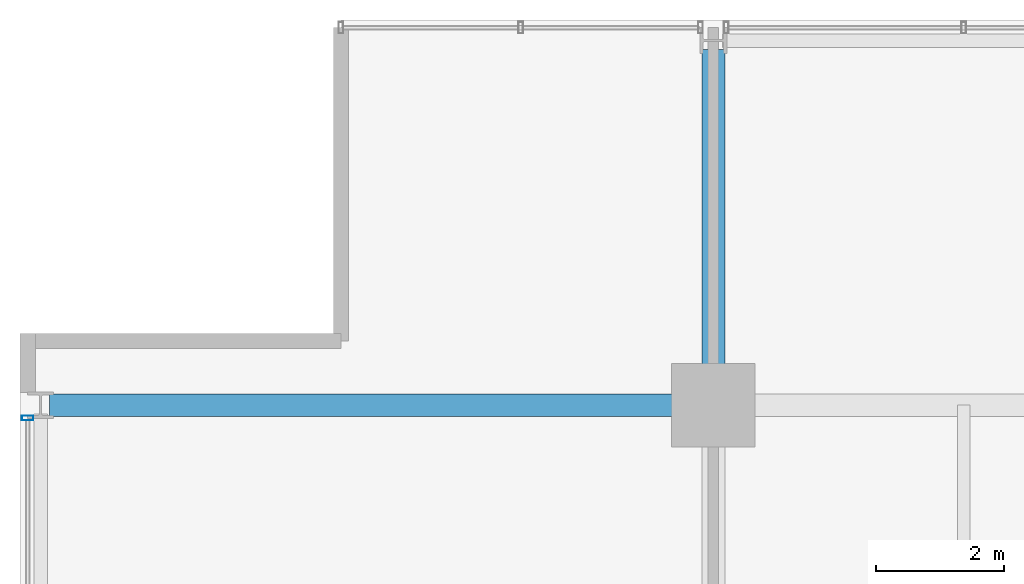
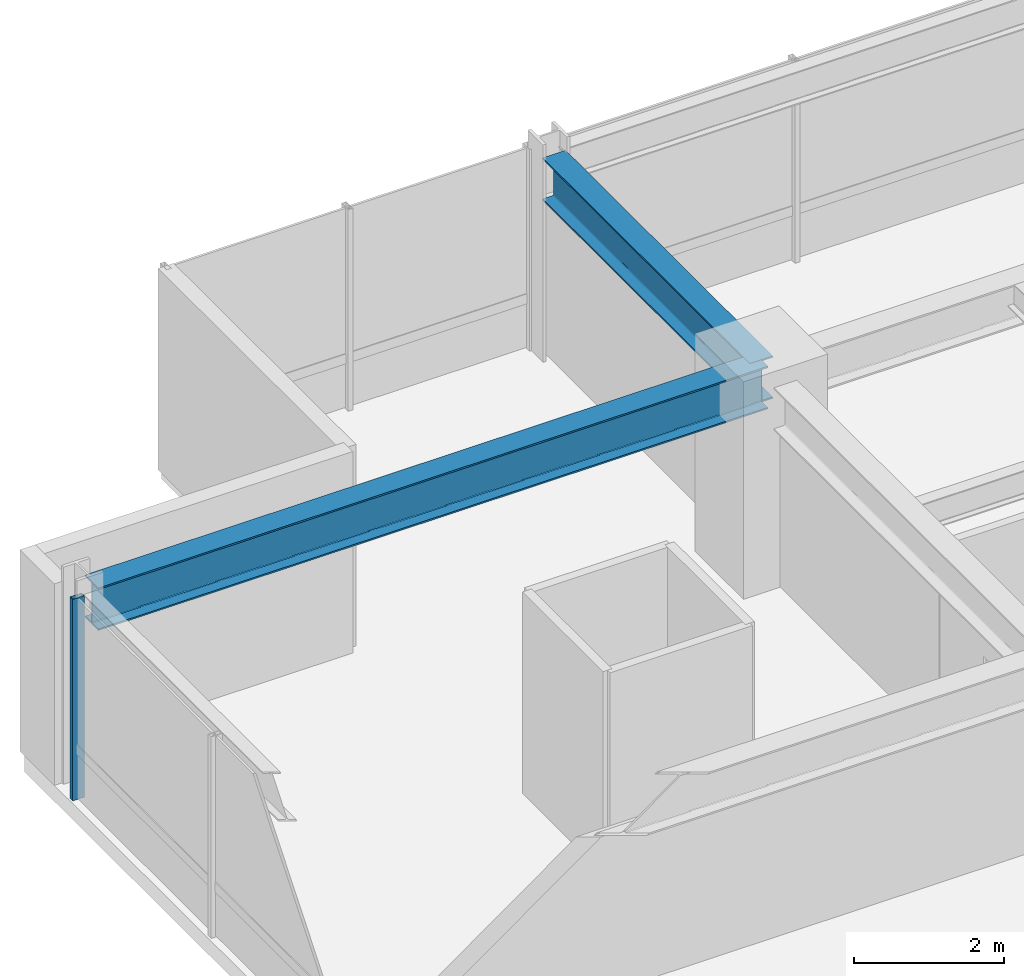
# One storey, part 19 of 33: 2 beams, 1 member, 1 element without a shape of its own.
"""IFC4 building model written with IfcOpenShell, lengths in metres."""

from ifc_helpers import new_model, si_unit, direction, frame, origin, origin_2d, place, context, subcontext, project, spatial, hollow_rectangle, i_section, extrude, material, layer, layer_set, material_profile, profile_set, type_object, element, aggregate, save


model = new_model("IFC4")

# Units and contexts
model_context = context("Model", 3, precision=1e-05, world=origin(), true_north=direction((0.0, 1.0)))
body_context = subcontext(model_context, "Body", "Model", "MODEL_VIEW")
ifc_project = project(units=[si_unit("LENGTHUNIT", "METRE"), si_unit("AREAUNIT", "SQUARE_METRE"), si_unit("VOLUMEUNIT", "CUBIC_METRE"), si_unit("PLANEANGLEUNIT", "RADIAN"), si_unit("MASSUNIT", "GRAM", prefix="KILO")], contexts=[model_context])

# Site, building, storey
site_placement = place(None, origin())
site = spatial("IfcSite", under=ifc_project, at=site_placement, CompositionType="ELEMENT")
building_placement = place(site_placement, origin())
building = spatial("IfcBuilding", under=site, at=building_placement, Name="Drelvath Grand Hotel", CompositionType="ELEMENT")
storey_placement = place(building_placement, frame((0.0, 0.0, 168.14990234375)))
storey = spatial("IfcBuildingStorey", under=building, at=storey_placement, Name="L43", CompositionType="ELEMENT", Elevation=168.14990234375)

# Curtain wall, member
ifc_material_1 = material(Name="Brushed Pale-Silver Anodised Aluminium Frame", Category="aluminium")
ifc_layer = layer(ifc_material_1, 0.199951171875)
ifc_layer_set = layer_set([ifc_layer], Name="Brushed Pale-Silver Anodised Aluminium Frame")
curtain_wall_type = type_object("IfcCurtainWallType", Name="Stick Curtain Wall CW-04 Brushed Silver Upper-Mid", PredefinedType="NOTDEFINED", material=ifc_layer_set)
curtain_wall_placement = place(storey_placement, origin())
curtain_wall = element("IfcCurtainWall", 1, at=curtain_wall_placement, inside=storey, type_object=curtain_wall_type, Name="L43 CW-04 Curtain Wall CW04-L43-WN2", PredefinedType="NOTDEFINED")
ifc_material_profile_1 = material_profile(ifc_material_1, hollow_rectangle(XDim=0.074951171875, YDim=0.179931640625, WallThickness=0.0048828125, at=origin_2d()), Name="HSS180X75X5")
ifc_profile_set_1 = profile_set([ifc_material_profile_1], Name="Brushed Pale-Silver Anodised Aluminium Frame")
member_type = type_object("IfcMemberType", Name="Curtain Wall Vertical Mullion CW-04 HSS180X75X5", PredefinedType="MULLION", material=ifc_profile_set_1)
member_placement = place(storey_placement, frame((-26.8798828125, 43.0, 0.0), z_axis=(0.0, 0.0, 1.0), x_axis=(0.0, 1.0, 0.0)))
member = element("IfcMember", 2, at=member_placement, type_object=member_type, Name="CW04-L43-WN2 Mullion 3", PredefinedType="MULLION", context=body_context, shape_type="SweptSolid", body=[
    extrude(hollow_rectangle(XDim=0.074951171875, YDim=0.179931640625, WallThickness=0.0048828125, at=origin_2d()), origin(), (0.0, 0.0, 1.0), 3.2900390625),
])
aggregate(curtain_wall, [member])

# Beams
ifc_material_2 = material(Name="Steel ASTM A992 Gr 50", Category="steel")
ifc_material_profile_2 = material_profile(ifc_material_2, i_section(OverallWidth=0.354736328125, OverallDepth=0.695556640625, WebThickness=0.015380859375, FlangeThickness=0.025146484375, FilletRadius=0.02392578125, at=origin_2d()), Name="W27X146")
ifc_profile_set_2 = profile_set([ifc_material_profile_2], Name="Steel ASTM A992 Gr 50")
beam_type = type_object("IfcBeamType", Name="Primary Floor Girder W27X146", PredefinedType="BEAM", material=ifc_profile_set_2)
beam_1_placement = place(storey_placement, frame((-26.5400390625, 43.199951171875, 2.9423828125), z_axis=(1.0, 0.0, 0.0), x_axis=(0.0, 1.0, 0.0)))
element("IfcBeam", 3, at=beam_1_placement, inside=storey, type_object=beam_type, Name="L43 West Grid Girder G", PredefinedType="BEAM", context=body_context, shape_type="SweptSolid", body=[
    extrude(i_section(OverallWidth=0.354736328125, OverallDepth=0.695556640625, WebThickness=0.015380859375, FlangeThickness=0.025146484375, FilletRadius=0.02392578125, at=origin_2d()), origin(), (0.0, 0.0, 1.0), 10.340087890625),
])
beam_2_placement = place(storey_placement, frame((-16.199951171875, 43.199951171875, 2.9423828125), z_axis=(0.0, 1.0, 0.0), x_axis=(-1.0, 0.0, 0.0)))
element("IfcBeam", 4, at=beam_2_placement, inside=storey, type_object=beam_type, Name="L43 North Grid Girder 3", PredefinedType="BEAM", context=body_context, shape_type="SweptSolid", body=[
    extrude(i_section(OverallWidth=0.354736328125, OverallDepth=0.695556640625, WebThickness=0.015380859375, FlangeThickness=0.025146484375, FilletRadius=0.02392578125, at=origin_2d()), origin(), (0.0, 0.0, 1.0), 5.5400390625),
])

save(model, "model.ifc")
